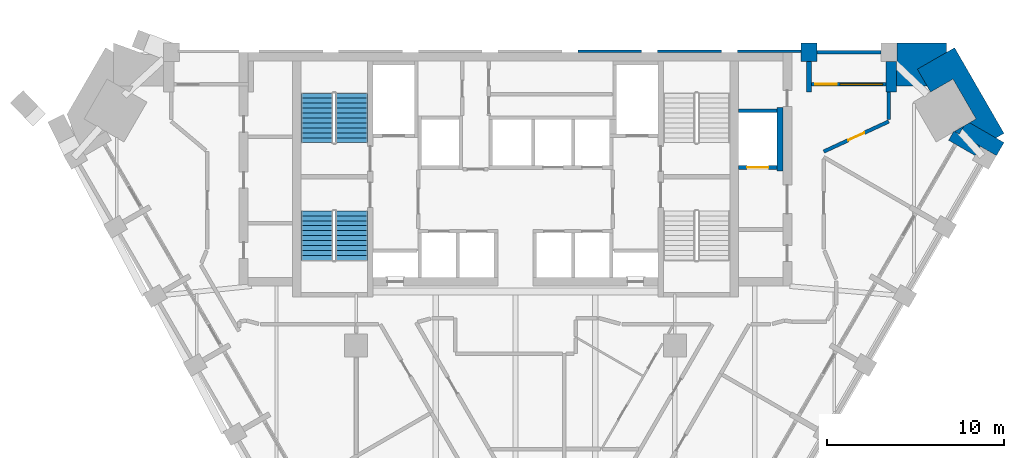
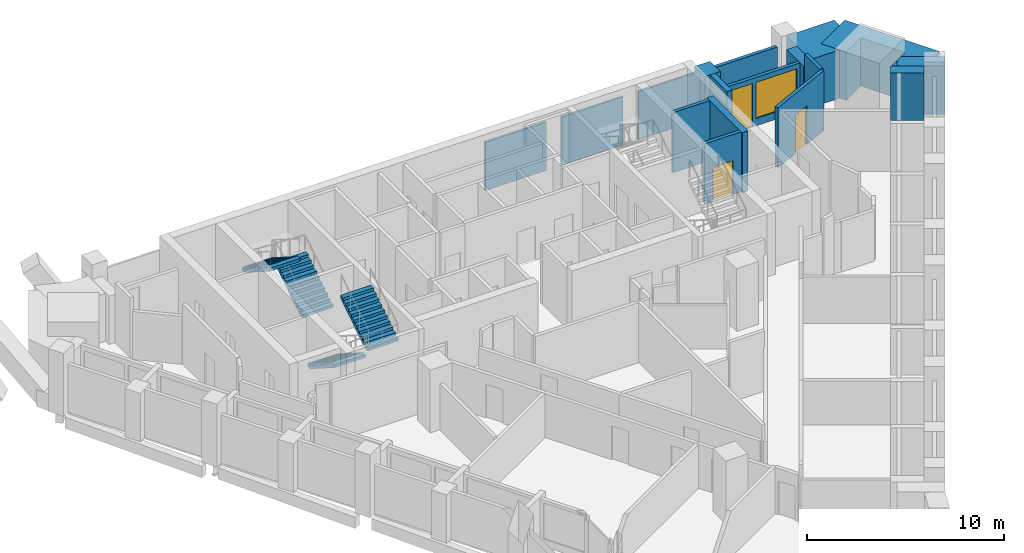
# One storey, part 8 of 10: 18 walls, 4 stair flights, 3 doors, 1 window, 4 openings, 2 elements without a shape of their own.
"""IFC4 building model written with IfcOpenShell, lengths in metres."""

from ifc_helpers import new_model, si_unit, direction, frame, frame_2d, origin, place, context, subcontext, project, spatial, polyline, rectangle, outline, extrude, faceted_brep, source, transform, mapped, material, layer, layer_set, type_object, element, fill, aggregate, save


model = new_model("IFC4")

# Units and contexts
model_context = context("Model", 3, precision=1e-05, world=origin(), true_north=direction((0.0, 1.0)))
body_context = subcontext(model_context, "Body", "Model", "MODEL_VIEW")
ifc_project = project(units=[si_unit("LENGTHUNIT", "METRE"), si_unit("AREAUNIT", "SQUARE_METRE"), si_unit("VOLUMEUNIT", "CUBIC_METRE"), si_unit("PLANEANGLEUNIT", "RADIAN"), si_unit("MASSUNIT", "GRAM", prefix="KILO")], contexts=[model_context])

# Site, building, storey
site_placement = place(None, origin())
site = spatial("IfcSite", under=ifc_project, at=site_placement, CompositionType="ELEMENT")
building_placement = place(site_placement, origin())
building = spatial("IfcBuilding", under=site, at=building_placement, Name="Calabash Gate Tower", CompositionType="ELEMENT")
storey_placement = place(building_placement, frame((0.0, 0.0, 183.60009765625)))
storey = spatial("IfcBuildingStorey", under=building, at=storey_placement, Name="L43", CompositionType="ELEMENT", Elevation=183.60009765625)

# Walls
ifc_material_1 = material(Name="Terracotta brick masonry, exposed face", Category="masonry")
ifc_layer_1 = layer(ifc_material_1, 2.425048828125)
ifc_layer_set_1 = layer_set([ifc_layer_1], Name="Brick corner mass wall 2425")
wall_type_1 = type_object("IfcWallType", Name="Brick corner mass wall 2425", PredefinedType="SOLIDWALL", material=ifc_layer_set_1)
wall_1_placement = place(storey_placement, origin())
element("IfcWall", 1, at=wall_1_placement, inside=storey, type_object=wall_type_1, Name="Brick corner pier S12 3a", PredefinedType="SOLIDWALL", context=body_context, shape_type="SweptSolid", body=[
    extrude(outline(polyline([(25.05126953125, 14.434326171875), (27.1513671875, 13.221923828125), (27.576171875, 13.957763671875), (25.63134765625, 15.08056640625), (25.32080078125, 14.9013671875), (25.05126953125, 14.434326171875)])), origin(), (0.0, 0.0, 1.0), 3.0),
])
wall_2_placement = place(storey_placement, origin())
element("IfcWall", 2, at=wall_2_placement, inside=storey, type_object=wall_type_1, Name="Brick corner pier S12 3ba", PredefinedType="SOLIDWALL", context=body_context, shape_type="SweptSolid", body=[
    extrude(outline(polyline([(25.05126953125, 14.434326171875), (25.32080078125, 14.9013671875), (24.78173828125, 14.590087890625), (25.05126953125, 14.434326171875)])), origin(), (0.0, 0.0, 1.0), 3.0),
])
wall_3_placement = place(storey_placement, origin())
element("IfcWall", 3, at=wall_3_placement, inside=storey, type_object=wall_type_1, Name="Brick corner pier S12 3bb", PredefinedType="SOLIDWALL", context=body_context, shape_type="SweptSolid", body=[
    extrude(outline(polyline([(23.430908203125, 16.8125), (24.69775390625, 17.5439453125), (25.997802734375, 15.292236328125), (25.63134765625, 15.08056640625), (27.12158203125, 14.22021484375), (27.576171875, 14.482666015625), (24.786376953125, 19.31494140625), (22.68603515625, 18.1025390625), (23.430908203125, 16.8125)])), origin(), (0.0, 0.0, 1.0), 3.0),
])
wall_4_placement = place(storey_placement, origin())
element("IfcWall", 4, at=wall_4_placement, inside=storey, type_object=wall_type_1, Name="Brick corner pier S12 3c", PredefinedType="SOLIDWALL", context=body_context, shape_type="SweptSolid", body=[
    extrude(outline(polyline([(21.521728515625, 18.528076171875), (21.521728515625, 17.152587890625), (23.234619140625, 17.152587890625), (22.68603515625, 18.1025390625), (24.33154296875, 19.052490234375), (24.33154296875, 19.57763671875), (21.52197265625, 19.57763671875), (21.52197265625, 18.528076171875), (21.521728515625, 18.528076171875)])), origin(), (0.0, 0.0, 1.0), 3.0),
])
ifc_material_2 = material(Name="Terracotta brick masonry, exposed face", Category="masonry")
ifc_layer_2 = layer(ifc_material_2, 1.050048828125)
ifc_layer_set_2 = layer_set([ifc_layer_2], Name="Brick end wall 1050")
wall_type_2 = type_object("IfcWallType", Name="Brick end wall 1050", PredefinedType="SOLIDWALL", material=ifc_layer_set_2)
wall_5_placement = place(storey_placement, origin())
element("IfcWall", 5, at=wall_5_placement, inside=storey, type_object=wall_type_2, Name="Brick pier S12 N6.1", PredefinedType="SOLIDWALL", context=body_context, shape_type="SweptSolid", body=[
    extrude(outline(polyline([(17.021728515625, 19.57763671875), (16.121826171875, 19.57763671875), (16.121826171875, 18.527587890625), (17.021728515625, 18.527587890625), (17.021728515625, 19.57763671875)])), origin(), (0.0, 0.0, 1.0), 3.0),
])
ifc_material_3 = material(Name="Terracotta brick masonry, exposed face", Category="masonry")
ifc_layer_3 = layer(ifc_material_3, 0.300048828125)
ifc_layer_set_3 = layer_set([ifc_layer_3], Name="Brick loggia cheek wall 300")
wall_type_3 = type_object("IfcWallType", Name="Brick loggia cheek wall 300", PredefinedType="SOLIDWALL", material=ifc_layer_set_3)
wall_6_placement = place(storey_placement, frame((26.09130859375, 13.487548828125, 0.0), z_axis=(0.0, 0.0, 1.0), x_axis=(-0.866029956157, 0.499992114976, 0.0)))
element("IfcWall", 6, at=wall_6_placement, inside=storey, type_object=wall_type_3, Name="Loggia cheek S12 SE4.8", PredefinedType="SOLIDWALL", context=body_context, shape_type="SweptSolid", body=[
    extrude(rectangle(XDim=1.72412109375, YDim=0.60009765625, at=frame_2d((0.862060546875, 0.0))), origin(), (0.0, 0.0, 1.0), 3.0),
])
wall_7_placement = place(storey_placement, origin())
element("IfcWall", 7, at=wall_7_placement, inside=storey, type_object=wall_type_3, Name="Loggia cheek S12 N6.0", PredefinedType="SOLIDWALL", context=body_context, shape_type="SweptSolid", body=[
    extrude(outline(polyline([(21.521728515625, 16.802490234375), (21.521728515625, 18.527587890625), (20.921875, 18.527587890625), (20.921875, 16.802490234375), (21.521728515625, 16.802490234375)])), origin(), (0.0, 0.0, 1.0), 3.0),
])
wall_8_placement = place(storey_placement, origin())
element("IfcWall", 8, at=wall_8_placement, inside=storey, type_object=wall_type_3, Name="Loggia cheek S12 N6.1", PredefinedType="SOLIDWALL", context=body_context, shape_type="SweptSolid", body=[
    extrude(outline(polyline([(16.421875, 18.527587890625), (16.421875, 16.802490234375), (16.721923828125, 16.802490234375), (16.721923828125, 18.527587890625), (16.421875, 18.527587890625)])), origin(), (0.0, 0.0, 1.0), 3.0),
])

# Wall, opening, door
ifc_material_4 = material(Name="Gypsum board on steel studs, mineral wool", Category="steel")
ifc_layer_4 = layer(ifc_material_4, 0.199951171875)
ifc_layer_set_4 = layer_set([ifc_layer_4], Name="Partition 200 gypsum board EI 60")
wall_type_4 = type_object("IfcWallType", Name="Partition 200 gypsum board EI 60", PredefinedType="PARTITIONING", material=ifc_layer_set_4)
wall_9_placement = place(storey_placement, frame((17.400390625, 13.4521484375, 0.0), z_axis=(0.0, 0.0, 1.0), x_axis=(0.907455404493, 0.420148412892, 0.0)))
wall_9 = element("IfcWall", 9, at=wall_9_placement, inside=storey, type_object=wall_type_4, Name="Partition", PredefinedType="PARTITIONING", context=body_context, shape_type="SweptSolid", body=[
    extrude(rectangle(XDim=4.046142578125, YDim=0.199951171875, at=frame_2d((2.02294921875, 0.0))), origin(), (0.0, 0.0, 1.0), 3.72998046875),
])
opening_1_placement = place(wall_9_placement, frame((1.52294921875, 0.0, 0.0)))
opening_1 = element("IfcOpeningElement", 10, at=opening_1_placement, cuts=wall_9, Name="Opening 42-44-010", PredefinedType="OPENING", context=body_context, shape_type="SweptSolid", body=[
    extrude(rectangle(XDim=1.0, YDim=2.39990234375, at=frame_2d((0.5, 1.199951171875))), frame((0.0, 0.10986328125, 0.0), z_axis=(0.0, -1.0, 0.0), x_axis=(1.0, 0.0, 0.0)), (0.0, 0.0, 1.0), 0.219970703125),
])
ifc_material_5 = material(Name="Painted timber door", Category="wood")
door_type_1 = type_object("IfcDoorType", Name="OD2 Glazed office door 1000x2400", OperationType="NOTDEFINED", PredefinedType="DOOR", material=ifc_material_5)
door_1_placement = place(opening_1_placement, origin())
door_1 = element("IfcDoor", 11, at=door_1_placement, inside=storey, type_object=door_type_1, Name="Glazed office door", OperationType="SINGLE_SWING_LEFT", OverallHeight=2.39990234375, OverallWidth=1.0, PredefinedType="DOOR", context=body_context, shape_type="SweptSolid", body=[
    extrude(rectangle(XDim=1.0, YDim=2.39990234375, at=frame_2d((0.5, 1.199951171875))), frame((0.0, 0.02490234375, 0.0), z_axis=(0.0, -1.0, 0.0), x_axis=(1.0, 0.0, 0.0)), (0.0, 0.0, 1.0), 0.050048828125),
])
fill(opening_1, door_1)

# Walls
wall_10_placement = place(storey_placement, frame((21.072021484375, 15.252197265625, 0.0), z_axis=(0.0, 0.0, 1.0), x_axis=(0.000314960614, 0.9999999504, 0.0)))
element("IfcWall", 12, at=wall_10_placement, inside=storey, type_object=wall_type_4, Name="Partition", PredefinedType="PARTITIONING", context=body_context, shape_type="SweptSolid", body=[
    extrude(rectangle(XDim=1.55029296875, YDim=0.199951171875, at=frame_2d((0.775146484375, 0.0))), origin(), (0.0, 0.0, 1.0), 3.72998046875),
])
ifc_material_6 = material(Name="Concrete C40/50", Category="concrete")
ifc_layer_5 = layer(ifc_material_6, 0.199951171875)
ifc_layer_set_5 = layer_set([ifc_layer_5], Name="Shaft wall 200 Concrete C40/50")
wall_type_5 = type_object("IfcWallType", Name="Shaft wall 200 Concrete C40/50", PredefinedType="SOLIDWALL", material=ifc_layer_set_5)
wall_11_placement = place(storey_placement, frame((14.925048828125, 12.3525390625, 0.0), z_axis=(0.0, 0.0, 1.0), x_axis=(0.0, 1.0, 0.0)))
element("IfcWall", 13, at=wall_11_placement, inside=storey, type_object=wall_type_5, Name="Shaft wall", PredefinedType="SOLIDWALL", context=body_context, shape_type="SweptSolid", body=[
    extrude(rectangle(XDim=3.60009765625, YDim=0.35009765625, at=frame_2d((1.800048828125, 0.0))), origin(), (0.0, 0.0, 1.0), 3.72998046875),
])

# Wall, opening, door
wall_12_placement = place(storey_placement, frame((12.60009765625, 12.552490234375, 0.0), z_axis=(0.0, 0.0, 1.0), x_axis=(1.0, 0.0, 0.0)))
wall_12 = element("IfcWall", 14, at=wall_12_placement, inside=storey, type_object=wall_type_5, Name="Shaft wall", PredefinedType="SOLIDWALL", context=body_context, shape_type="SweptSolid", body=[
    extrude(rectangle(XDim=2.14990234375, YDim=0.199951171875, at=frame_2d((1.074951171875, 0.0))), origin(), (0.0, 0.0, 1.0), 3.72998046875),
])
opening_2_placement = place(wall_12_placement, frame((0.47509765625, 0.0, 0.0)))
opening_2 = element("IfcOpeningElement", 15, at=opening_2_placement, cuts=wall_12, Name="Opening LD-SL1", PredefinedType="OPENING", context=body_context, shape_type="SweptSolid", body=[
    extrude(rectangle(XDim=1.199951171875, YDim=2.10009765625, at=frame_2d((0.60009765625, 1.050048828125))), frame((0.0, 0.10986328125, 0.0), z_axis=(0.0, -1.0, 0.0), x_axis=(1.0, 0.0, 0.0)), (0.0, 0.0, 1.0), 0.219970703125),
])
ifc_material_7 = material(Name="Stainless steel sliding door leaves", Category="steel")
door_type_2 = type_object("IfcDoorType", Name="Lift landing door LS3 1200x2100 FD90", OperationType="DOUBLE_DOOR_SLIDING", PredefinedType="DOOR", material=ifc_material_7)
door_2_placement = place(opening_2_placement, origin())
door_2 = element("IfcDoor", 16, at=door_2_placement, inside=storey, type_object=door_type_2, Name="Lift landing door SL1", OperationType="DOUBLE_DOOR_SLIDING", OverallHeight=2.10009765625, OverallWidth=1.199951171875, PredefinedType="DOOR", context=body_context, shape_type="SweptSolid", body=[
    extrude(rectangle(XDim=1.199951171875, YDim=2.10009765625, at=frame_2d((0.60009765625, 1.050048828125))), frame((0.0, 0.02490234375, 0.0), z_axis=(0.0, -1.0, 0.0), x_axis=(1.0, 0.0, 0.0)), (0.0, 0.0, 1.0), 0.050048828125),
])
fill(opening_2, door_2)

# Walls
wall_13_placement = place(storey_placement, frame((12.60009765625, 15.752685546875, 0.0), z_axis=(0.0, 0.0, 1.0), x_axis=(1.0, 0.0, 0.0)))
element("IfcWall", 17, at=wall_13_placement, inside=storey, type_object=wall_type_5, Name="Shaft wall", PredefinedType="SOLIDWALL", context=body_context, shape_type="SweptSolid", body=[
    extrude(rectangle(XDim=2.14990234375, YDim=0.199951171875, at=frame_2d((1.074951171875, 0.0))), origin(), (0.0, 0.0, 1.0), 3.72998046875),
])
ifc_material_8 = material(Name="Terracotta brick masonry, perforated", Category="masonry")
ifc_layer_6 = layer(ifc_material_8, 0.1201171875)
ifc_layer_set_6 = layer_set([ifc_layer_6], Name="Terracotta jaali cladding B 120")
wall_type_6 = type_object("IfcWallType", Name="Terracotta jaali cladding B 120", PredefinedType="SOLIDWALL", material=ifc_layer_set_6)
wall_14_placement = place(storey_placement, origin())
element("IfcWall", 18, at=wall_14_placement, inside=storey, type_object=wall_type_6, Name="Jaali cladding S12 N6.3", PredefinedType="SOLIDWALL", context=body_context, shape_type="SweptSolid", body=[
    extrude(outline(polyline([(8.021728515625, 19.172607421875), (8.021728515625, 19.052490234375), (11.621826171875, 19.052490234375), (11.621826171875, 19.172607421875), (8.021728515625, 19.172607421875)])), origin(), (0.0, 0.0, 1.0), 3.0),
])
ifc_material_9 = material(Name="Terracotta brick masonry, perforated", Category="masonry")
ifc_layer_7 = layer(ifc_material_9, 0.199951171875)
ifc_layer_set_7 = layer_set([ifc_layer_7], Name="Terracotta jaali screen B")
wall_type_7 = type_object("IfcWallType", Name="Terracotta jaali screen B", PredefinedType="SOLIDWALL", material=ifc_layer_set_7)
wall_15_placement = place(storey_placement, frame((20.621826171875, 19.052490234375, 0.0), z_axis=(0.0, 0.0, 1.0), x_axis=(-1.0, 0.0, 0.0)))
element("IfcWall", 19, at=wall_15_placement, inside=storey, type_object=wall_type_7, Name="SCREEN B S12 N6.1", PredefinedType="SOLIDWALL", context=body_context, shape_type="SweptSolid", body=[
    extrude(rectangle(XDim=3.60009765625, YDim=0.199951171875, at=frame_2d((1.800048828125, 0.0))), origin(), (0.0, 0.0, 1.0), 3.0),
])
ifc_material_10 = material(Name="Terracotta louvre blades in an aluminium frame", Category="masonry")
ifc_layer_8 = layer(ifc_material_10, 0.1201171875)
ifc_layer_set_8 = layer_set([ifc_layer_8], Name="Terracotta vent louvre cladding 120")
wall_type_8 = type_object("IfcWallType", Name="Terracotta vent louvre cladding 120", PredefinedType="ELEMENTEDWALL", material=ifc_layer_set_8)
wall_16_placement = place(storey_placement, origin())
element("IfcWall", 20, at=wall_16_placement, inside=storey, type_object=wall_type_8, Name="Vent louvre cladding S12 N6.2", PredefinedType="ELEMENTEDWALL", context=body_context, shape_type="SweptSolid", body=[
    extrude(outline(polyline([(12.521728515625, 19.172607421875), (12.521728515625, 19.052490234375), (16.121337890625, 19.052490234375), (16.121337890625, 19.172607421875), (12.521728515625, 19.172607421875)])), origin(), (0.0, 0.0, 1.0), 3.0),
])
wall_17_placement = place(storey_placement, origin())
element("IfcWall", 21, at=wall_17_placement, inside=storey, type_object=wall_type_8, Name="Vent louvre cladding S12 N6.4", PredefinedType="ELEMENTEDWALL", context=body_context, shape_type="SweptSolid", body=[
    extrude(outline(polyline([(3.521728515625, 19.172607421875), (3.521728515625, 19.052490234375), (7.121826171875, 19.052490234375), (7.121826171875, 19.172607421875), (3.521728515625, 19.172607421875)])), origin(), (0.0, 0.0, 1.0), 3.0),
])

# Wall, openings, door, window
ifc_material_11 = material(Name="Aluminium framed window wall with insulated spandrel", Category="aluminium")
ifc_layer_9 = layer(ifc_material_11, 0.199951171875)
ifc_layer_set_9 = layer_set([ifc_layer_9], Name="Window wall 200")
wall_type_9 = type_object("IfcWallType", Name="Window wall 200", PredefinedType="ELEMENTEDWALL", material=ifc_layer_set_9)
wall_18_placement = place(storey_placement, frame((20.921875, 17.25244140625, 0.0), z_axis=(0.0, 0.0, 1.0), x_axis=(-1.0, 0.0, 0.0)))
wall_18 = element("IfcWall", 22, at=wall_18_placement, inside=storey, type_object=wall_type_9, Name="Window wall S12 N6.1", PredefinedType="ELEMENTEDWALL", context=body_context, shape_type="SweptSolid", body=[
    extrude(rectangle(XDim=4.199951171875, YDim=0.199951171875, at=frame_2d((2.10009765625, 0.0))), origin(), (0.0, 0.0, 1.0), 3.0),
])
opening_3_placement = place(wall_18_placement, frame((0.199951171875, 0.0, 0.449951171875)))
opening_3 = element("IfcOpeningElement", 23, at=opening_3_placement, cuts=wall_18, Name="Opening OW1", PredefinedType="OPENING", context=body_context, shape_type="SweptSolid", body=[
    extrude(rectangle(XDim=2.39990234375, YDim=2.25, at=frame_2d((1.199951171875, 1.125))), frame((0.0, 0.10986328125, 0.0), z_axis=(0.0, -1.0, 0.0), x_axis=(1.0, 0.0, 0.0)), (0.0, 0.0, 1.0), 0.219970703125),
])
opening_4_placement = place(wall_18_placement, frame((2.800048828125, 0.0, 0.0)))
opening_4 = element("IfcOpeningElement", 24, at=opening_4_placement, cuts=wall_18, Name="Opening O4-019", PredefinedType="OPENING", context=body_context, shape_type="SweptSolid", body=[
    extrude(rectangle(XDim=1.199951171875, YDim=2.699951171875, at=frame_2d((0.60009765625, 1.35009765625))), frame((0.0, 0.10986328125, 0.0), z_axis=(0.0, -1.0, 0.0), x_axis=(1.0, 0.0, 0.0)), (0.0, 0.0, 1.0), 0.219970703125),
])
ifc_material_12 = material(Name="Anodised aluminium frame, bronze finish, impact-rated laminated clear glazing", Category="aluminium")
door_type_3 = type_object("IfcDoorType", Name="Loggia door DO1 1200x2700", OperationType="SLIDING_TO_LEFT", PredefinedType="DOOR", material=ifc_material_12)
door_3_placement = place(opening_4_placement, origin())
door_3 = element("IfcDoor", 25, at=door_3_placement, inside=storey, type_object=door_type_3, Name="Loggia door S12 N6.1", OperationType="SINGLE_SWING_LEFT", OverallHeight=2.699951171875, OverallWidth=1.199951171875, PredefinedType="DOOR", context=body_context, shape_type="SweptSolid", body=[
    extrude(rectangle(XDim=1.199951171875, YDim=2.699951171875, at=frame_2d((0.60009765625, 1.35009765625))), frame((0.0, 0.02490234375, 0.0), z_axis=(0.0, -1.0, 0.0), x_axis=(1.0, 0.0, 0.0)), (0.0, 0.0, 1.0), 0.050048828125),
])
fill(opening_4, door_3)
ifc_material_13 = material(Name="Anodised aluminium frame, bronze finish, impact-rated laminated clear glazing", Category="aluminium")
window_type = type_object("IfcWindowType", Name="Window OW1 2400x2250", PartitioningType="DOUBLE_PANEL_VERTICAL", PredefinedType="WINDOW", material=ifc_material_13)
window_placement = place(opening_3_placement, origin())
window = element("IfcWindow", 26, at=window_placement, inside=storey, type_object=window_type, Name="Window OW1 S12 N6.1", OverallHeight=2.25, OverallWidth=2.39990234375, PartitioningType="SINGLE_PANEL", PredefinedType="WINDOW", context=body_context, shape_type="SweptSolid", body=[
    extrude(rectangle(XDim=2.39990234375, YDim=2.25, at=frame_2d((1.199951171875, 1.125))), frame((0.0, 0.030029296875, 0.0), z_axis=(0.0, -1.0, 0.0), x_axis=(1.0, 0.0, 0.0)), (0.0, 0.0, 1.0), 0.06005859375),
])
fill(opening_3, window)

# Stair, stair flights
ifc_material_14 = material(Name="Concrete C40/50", Category="concrete")
stair_type = type_object("IfcStairType", Name="Exit stair 22 risers of 177.3 mm", PredefinedType="HALF_TURN_STAIR", material=ifc_material_14)
stair_1_placement = place(storey_placement, origin())
stair_1 = element("IfcStair", 27, at=stair_1_placement, inside=storey, type_object=stair_type, Name="L43 Exit stair ST1", PredefinedType="HALF_TURN_STAIR")
ifc_material_15 = material(Name="Concrete C40/50", Category="concrete")
stair_flight_type = type_object("IfcStairFlightType", Name="Exit stair flight SFL", PredefinedType="STRAIGHT", material=ifc_material_15)
shared_shape = source(origin(), body_context, "Body", "Brep", [
    faceted_brep([(-0.0009765625, -0.89990234375, 0.0), (0.279541015625, -0.89990234375, 0.0), (2.791015625, -0.89990234375, 1.59521484375), (-0.0009765625, 0.89990234375, 0.0), (2.791015625, 0.89990234375, 1.59521484375), (0.279541015625, 0.89990234375, 0.0), (2.791015625, -0.89990234375, 1.78466796875), (2.7900390625, -0.89990234375, 1.78466796875), (2.7900390625, 0.89990234375, 1.78466796875), (2.791015625, 0.89990234375, 1.78466796875), (2.7900390625, -0.89990234375, 1.772705078125), (2.7900390625, 0.89990234375, 1.772705078125), (2.510986328125, -0.89990234375, 1.772705078125), (2.510986328125, 0.89990234375, 1.772705078125), (2.510986328125, -0.89990234375, 1.595458984375), (2.510986328125, 0.89990234375, 1.595458984375), (2.23193359375, -0.89990234375, 1.595458984375), (2.23193359375, 0.89990234375, 1.595458984375), (2.23193359375, -0.89990234375, 1.418212890625), (2.23193359375, 0.89990234375, 1.418212890625), (1.952880859375, -0.89990234375, 1.418212890625), (1.952880859375, -0.89990234375, 1.240966796875), (1.952880859375, 0.89990234375, 1.240966796875), (1.952880859375, 0.89990234375, 1.418212890625), (1.674072265625, -0.89990234375, 1.240966796875), (1.674072265625, -0.89990234375, 1.063720703125), (1.674072265625, 0.89990234375, 1.063720703125), (1.674072265625, 0.89990234375, 1.240966796875), (1.39501953125, -0.89990234375, 1.063720703125), (1.39501953125, -0.89990234375, 0.886474609375), (1.39501953125, 0.89990234375, 0.886474609375), (1.39501953125, 0.89990234375, 1.063720703125), (1.115966796875, -0.89990234375, 0.886474609375), (1.115966796875, -0.89990234375, 0.708984375), (1.115966796875, 0.89990234375, 0.708984375), (1.115966796875, 0.89990234375, 0.886474609375), (0.8369140625, -0.89990234375, 0.708984375), (0.8369140625, -0.89990234375, 0.53173828125), (0.8369140625, 0.89990234375, 0.53173828125), (0.8369140625, 0.89990234375, 0.708984375), (0.55810546875, -0.89990234375, 0.53173828125), (0.55810546875, -0.89990234375, 0.3544921875), (0.55810546875, 0.89990234375, 0.3544921875), (0.55810546875, 0.89990234375, 0.53173828125), (0.279052734375, -0.89990234375, 0.3544921875), (0.279052734375, -0.89990234375, 0.17724609375), (0.279052734375, 0.89990234375, 0.17724609375), (0.279052734375, 0.89990234375, 0.3544921875), (-0.0009765625, -0.89990234375, 0.17724609375), (-0.0009765625, 0.89990234375, 0.17724609375), (0.279541015625, -0.360107421875, 0.0), (2.791015625, -0.360107421875, 1.59521484375), (0.279541015625, 0.0, 0.0), (2.791015625, 0.0, 1.59521484375), (0.279541015625, 0.360107421875, 0.0), (2.791015625, 0.360107421875, 1.59521484375), (2.791015625, -0.360107421875, 1.78466796875), (2.791015625, 0.0, 1.78466796875), (2.791015625, 0.360107421875, 1.78466796875), (2.7900390625, -0.360107421875, 1.78466796875), (2.7900390625, 0.0, 1.78466796875), (2.7900390625, 0.360107421875, 1.78466796875), (2.7900390625, -0.360107421875, 1.772705078125), (2.7900390625, 0.0, 1.772705078125), (2.7900390625, 0.360107421875, 1.772705078125), (2.510986328125, -0.360107421875, 1.772705078125), (2.510986328125, 0.0, 1.772705078125), (2.510986328125, 0.360107421875, 1.772705078125), (2.510986328125, -0.360107421875, 1.595458984375), (2.510986328125, 0.0, 1.595458984375), (2.510986328125, 0.360107421875, 1.595458984375), (2.23193359375, -0.360107421875, 1.595458984375), (2.23193359375, 0.0, 1.595458984375), (2.23193359375, 0.360107421875, 1.595458984375), (2.23193359375, -0.360107421875, 1.418212890625), (2.23193359375, 0.0, 1.418212890625), (2.23193359375, 0.360107421875, 1.418212890625), (1.952880859375, -0.360107421875, 1.418212890625), (1.952880859375, 0.0, 1.418212890625), (1.952880859375, 0.360107421875, 1.418212890625), (1.952880859375, -0.360107421875, 1.240966796875), (1.952880859375, 0.0, 1.240966796875), (1.952880859375, 0.360107421875, 1.240966796875), (1.674072265625, -0.360107421875, 1.240966796875), (1.674072265625, 0.0, 1.240966796875), (1.674072265625, 0.360107421875, 1.240966796875), (1.674072265625, -0.360107421875, 1.063720703125), (1.674072265625, 0.0, 1.063720703125), (1.674072265625, 0.360107421875, 1.063720703125), (1.39501953125, -0.360107421875, 1.063720703125), (1.39501953125, 0.0, 1.063720703125), (1.39501953125, 0.360107421875, 1.063720703125), (1.39501953125, -0.360107421875, 0.886474609375), (1.39501953125, 0.0, 0.886474609375), (1.39501953125, 0.360107421875, 0.886474609375), (1.115966796875, -0.360107421875, 0.886474609375), (1.115966796875, 0.0, 0.886474609375), (1.115966796875, 0.360107421875, 0.886474609375), (1.115966796875, -0.360107421875, 0.708984375), (1.115966796875, 0.0, 0.708984375), (1.115966796875, 0.360107421875, 0.708984375), (0.8369140625, -0.360107421875, 0.708984375), (0.8369140625, 0.0, 0.708984375), (0.8369140625, 0.360107421875, 0.708984375), (0.8369140625, -0.360107421875, 0.53173828125), (0.8369140625, 0.0, 0.53173828125), (0.8369140625, 0.360107421875, 0.53173828125), (0.55810546875, -0.360107421875, 0.53173828125), (0.55810546875, 0.0, 0.53173828125), (0.55810546875, 0.360107421875, 0.53173828125), (0.55810546875, -0.360107421875, 0.3544921875), (0.55810546875, 0.0, 0.3544921875), (0.55810546875, 0.360107421875, 0.3544921875), (0.279052734375, -0.360107421875, 0.3544921875), (0.279052734375, 0.0, 0.3544921875), (0.279052734375, 0.360107421875, 0.3544921875), (0.279052734375, -0.360107421875, 0.17724609375), (0.279052734375, 0.0, 0.17724609375), (0.279052734375, 0.360107421875, 0.17724609375), (-0.0009765625, -0.360107421875, 0.17724609375), (-0.0009765625, 0.0, 0.17724609375), (-0.0009765625, 0.360107421875, 0.17724609375), (-0.0009765625, -0.360107421875, 0.0), (-0.0009765625, 0.0, 0.0), (-0.0009765625, 0.360107421875, 0.0)], [[[0, 1, 2]], [[3, 4, 5]], [[2, 6, 7]], [[4, 8, 9]], [[2, 7, 10]], [[4, 11, 8]], [[2, 10, 12]], [[4, 13, 11]], [[2, 12, 14]], [[4, 15, 13]], [[2, 14, 16]], [[4, 17, 15]], [[2, 16, 18]], [[4, 19, 17]], [[18, 20, 21]], [[19, 22, 23]], [[2, 18, 21]], [[4, 22, 19]], [[21, 24, 25]], [[22, 26, 27]], [[2, 21, 25]], [[4, 26, 22]], [[25, 28, 29]], [[26, 30, 31]], [[2, 25, 29]], [[4, 30, 26]], [[29, 32, 33]], [[30, 34, 35]], [[2, 29, 33]], [[4, 34, 30]], [[33, 36, 37]], [[34, 38, 39]], [[2, 33, 37]], [[4, 38, 34]], [[37, 40, 41]], [[38, 42, 43]], [[2, 37, 41]], [[4, 42, 38]], [[41, 44, 45]], [[42, 46, 47]], [[2, 41, 45]], [[4, 46, 42]], [[0, 2, 45]], [[3, 46, 4]], [[45, 48, 0]], [[46, 3, 49]], [[1, 50, 2]], [[50, 51, 2]], [[50, 52, 51]], [[52, 53, 51]], [[52, 54, 55]], [[52, 55, 53]], [[54, 5, 4]], [[54, 4, 55]], [[2, 51, 6]], [[51, 56, 6]], [[51, 53, 56]], [[53, 57, 56]], [[53, 55, 58]], [[53, 58, 57]], [[55, 4, 9]], [[55, 9, 58]], [[6, 56, 7]], [[56, 59, 7]], [[56, 57, 59]], [[57, 60, 59]], [[57, 58, 61]], [[57, 61, 60]], [[58, 9, 8]], [[58, 8, 61]], [[7, 59, 10]], [[59, 62, 10]], [[59, 60, 62]], [[60, 63, 62]], [[60, 61, 64]], [[60, 64, 63]], [[61, 8, 11]], [[61, 11, 64]], [[10, 62, 12]], [[62, 65, 12]], [[62, 63, 65]], [[63, 66, 65]], [[63, 64, 67]], [[63, 67, 66]], [[64, 11, 13]], [[64, 13, 67]], [[12, 65, 14]], [[65, 68, 14]], [[65, 66, 68]], [[66, 69, 68]], [[66, 67, 70]], [[66, 70, 69]], [[67, 13, 15]], [[67, 15, 70]], [[14, 68, 16]], [[68, 71, 16]], [[68, 69, 71]], [[69, 72, 71]], [[69, 70, 73]], [[69, 73, 72]], [[70, 15, 17]], [[70, 17, 73]], [[16, 71, 18]], [[71, 74, 18]], [[71, 72, 74]], [[72, 75, 74]], [[72, 73, 76]], [[72, 76, 75]], [[73, 17, 19]], [[73, 19, 76]], [[18, 74, 20]], [[74, 77, 20]], [[74, 75, 77]], [[75, 78, 77]], [[75, 76, 79]], [[75, 79, 78]], [[76, 19, 23]], [[76, 23, 79]], [[20, 77, 21]], [[77, 80, 21]], [[77, 78, 80]], [[78, 81, 80]], [[78, 79, 82]], [[78, 82, 81]], [[79, 23, 22]], [[79, 22, 82]], [[21, 80, 24]], [[80, 83, 24]], [[80, 81, 83]], [[81, 84, 83]], [[81, 82, 85]], [[81, 85, 84]], [[82, 22, 27]], [[82, 27, 85]], [[24, 83, 25]], [[83, 86, 25]], [[83, 84, 86]], [[84, 87, 86]], [[84, 85, 88]], [[84, 88, 87]], [[85, 27, 26]], [[85, 26, 88]], [[25, 86, 28]], [[86, 89, 28]], [[86, 87, 89]], [[87, 90, 89]], [[87, 88, 91]], [[87, 91, 90]], [[88, 26, 31]], [[88, 31, 91]], [[28, 89, 29]], [[89, 92, 29]], [[89, 90, 92]], [[90, 93, 92]], [[90, 91, 94]], [[90, 94, 93]], [[91, 31, 30]], [[91, 30, 94]], [[29, 92, 32]], [[92, 95, 32]], [[92, 93, 95]], [[93, 96, 95]], [[93, 94, 97]], [[93, 97, 96]], [[94, 30, 35]], [[94, 35, 97]], [[32, 95, 33]], [[95, 98, 33]], [[95, 96, 98]], [[96, 99, 98]], [[96, 97, 100]], [[96, 100, 99]], [[97, 35, 34]], [[97, 34, 100]], [[33, 98, 36]], [[98, 101, 36]], [[98, 99, 101]], [[99, 102, 101]], [[99, 100, 103]], [[99, 103, 102]], [[100, 34, 39]], [[100, 39, 103]], [[36, 101, 37]], [[101, 104, 37]], [[101, 102, 104]], [[102, 105, 104]], [[102, 103, 106]], [[102, 106, 105]], [[103, 39, 38]], [[103, 38, 106]], [[37, 104, 40]], [[104, 107, 40]], [[104, 105, 107]], [[105, 108, 107]], [[105, 106, 109]], [[105, 109, 108]], [[106, 38, 43]], [[106, 43, 109]], [[40, 107, 41]], [[107, 110, 41]], [[107, 108, 110]], [[108, 111, 110]], [[108, 109, 112]], [[108, 112, 111]], [[109, 43, 42]], [[109, 42, 112]], [[41, 110, 44]], [[110, 113, 44]], [[110, 111, 113]], [[111, 114, 113]], [[111, 112, 115]], [[111, 115, 114]], [[112, 42, 47]], [[112, 47, 115]], [[44, 113, 45]], [[113, 116, 45]], [[113, 114, 116]], [[114, 117, 116]], [[114, 115, 118]], [[114, 118, 117]], [[115, 47, 46]], [[115, 46, 118]], [[45, 116, 48]], [[116, 119, 48]], [[116, 117, 119]], [[117, 120, 119]], [[117, 118, 121]], [[117, 121, 120]], [[118, 46, 49]], [[118, 49, 121]], [[48, 119, 0]], [[119, 122, 0]], [[119, 120, 122]], [[120, 123, 122]], [[120, 121, 124]], [[120, 124, 123]], [[121, 49, 3]], [[121, 3, 124]], [[0, 122, 1]], [[122, 50, 1]], [[122, 123, 50]], [[123, 52, 50]], [[123, 124, 54]], [[123, 54, 52]], [[124, 3, 5]], [[124, 5, 54]]]),
])
stair_flight_1_placement = place(storey_placement, frame((-9.25, 13.95263671875, 0.0), z_axis=(0.0, 0.0, 1.0), x_axis=(0.0, 1.0, 0.0)))
stair_flight_1 = element("IfcStairFlight", 28, at=stair_flight_1_placement, type_object=stair_flight_type, Name="ST1 flight 1", NumberOfRisers=11, NumberOfTreads=10, PredefinedType="STRAIGHT", RiserHeight=0.177272727, TreadLength=0.279, context=body_context, shape_type="MappedRepresentation", body=[
    mapped(shared_shape, transform((0.0, 0.0, 0.0), scale=1.0)),
])
stair_flight_2_placement = place(storey_placement, frame((-11.199951171875, 16.74267578125, 1.949951171875), z_axis=(0.0, 0.0, 1.0), x_axis=(0.0, -1.0, 0.0)))
stair_flight_2 = element("IfcStairFlight", 29, at=stair_flight_2_placement, type_object=stair_flight_type, Name="ST1 flight 2", NumberOfRisers=11, NumberOfTreads=10, PredefinedType="STRAIGHT", RiserHeight=0.177272727, TreadLength=0.279, context=body_context, shape_type="MappedRepresentation", body=[
    mapped(shared_shape, transform((0.0, 0.0, 0.0), scale=1.0)),
])
aggregate(stair_1, [stair_flight_1, stair_flight_2])

stair_2_placement = place(storey_placement, origin())
stair_2 = element("IfcStair", 30, at=stair_2_placement, inside=storey, type_object=stair_type, Name="L43 Exit stair ST2", PredefinedType="HALF_TURN_STAIR")
stair_flight_3_placement = place(storey_placement, frame((-11.199951171875, 10.1025390625, 0.0), z_axis=(0.0, 0.0, 1.0), x_axis=(0.0, -1.0, 0.0)))
stair_flight_3 = element("IfcStairFlight", 31, at=stair_flight_3_placement, type_object=stair_flight_type, Name="ST2 flight 1", NumberOfRisers=11, NumberOfTreads=10, PredefinedType="STRAIGHT", RiserHeight=0.177272727, TreadLength=0.279, context=body_context, shape_type="MappedRepresentation", body=[
    mapped(shared_shape, transform((0.0, 0.0, 0.0), scale=1.0)),
])
stair_flight_4_placement = place(storey_placement, frame((-9.25, 7.3125, 1.949951171875), z_axis=(0.0, 0.0, 1.0), x_axis=(0.0, 1.0, 0.0)))
stair_flight_4 = element("IfcStairFlight", 32, at=stair_flight_4_placement, type_object=stair_flight_type, Name="ST2 flight 2", NumberOfRisers=11, NumberOfTreads=10, PredefinedType="STRAIGHT", RiserHeight=0.177272727, TreadLength=0.279, context=body_context, shape_type="MappedRepresentation", body=[
    mapped(shared_shape, transform((0.0, 0.0, 0.0), scale=1.0)),
])
aggregate(stair_2, [stair_flight_3, stair_flight_4])

save(model, "model.ifc")
